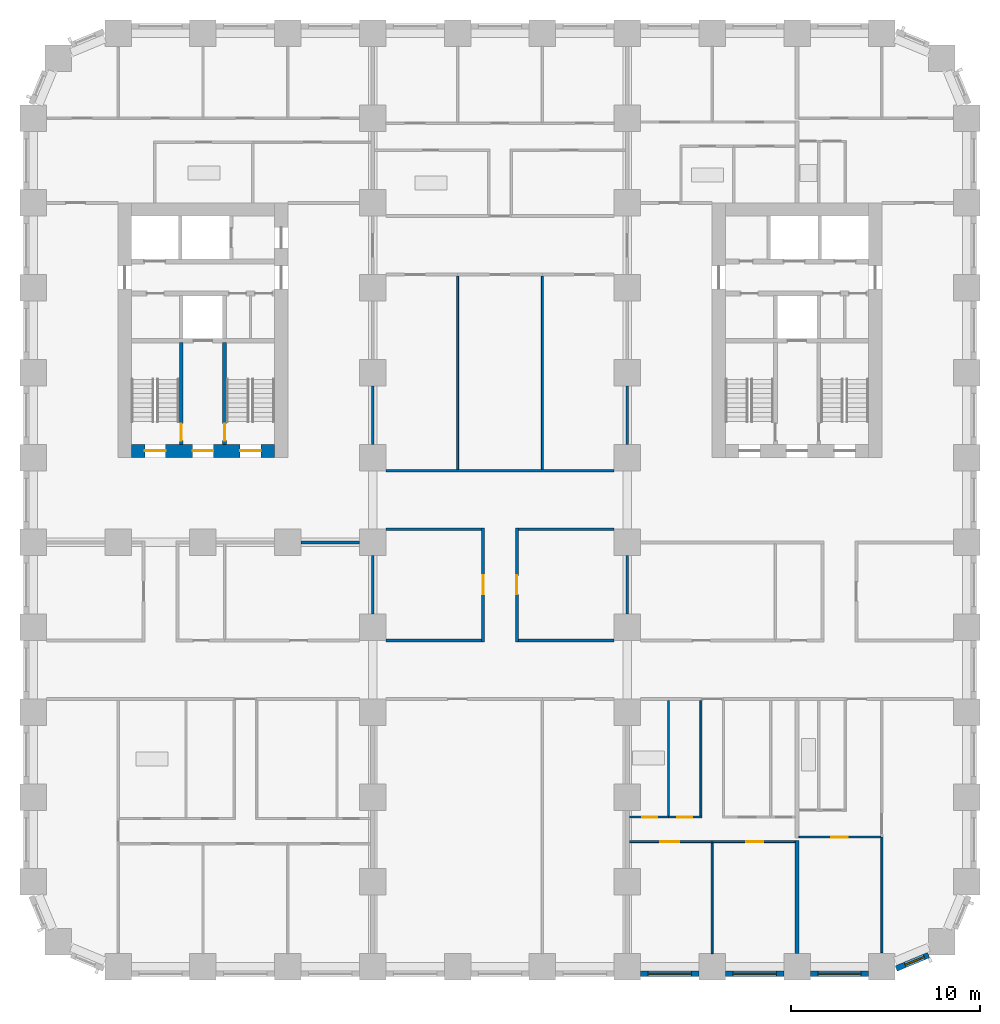
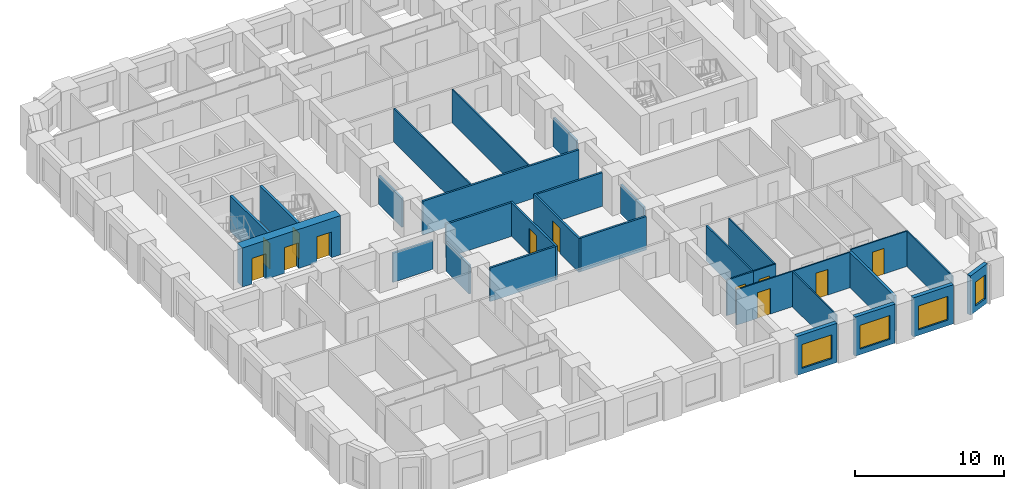
# One storey, part 4 of 13: 31 walls, 12 doors, 4 windows, 16 openings.
"""IFC4 building model written with IfcOpenShell, lengths in metres."""

import ifcopenshell
import ifcopenshell.guid

model = None  # the IFC model being written
_history = None  # IfcOwnerHistory: only IFC2X3 demands one
_inside = {}  # id of a spatial element -> (the spatial element, [elements in it])
_under = {}  # id of a project, library or spatial element -> (it, [spatial elements below it])
_declared = {}  # id of a project -> (the project, [libraries it declares])
_typed = {}  # id of a type object -> (the type object, [elements of that type])
_made_of = {}  # id of a material, layer set ... -> (it, [elements and type objects made of it])


def new_model(schema):
    """Start an empty IFC model of exactly this schema.

    Asked for "IFC4X3", IfcOpenShell would pick the latest addendum, in which some entities
    have other attributes; the version numbers below select the first issue.
    IFC2X3 requires an IfcOwnerHistory on every rooted entity: one is made here for all.
    """
    global model, _history
    if schema == "IFC4X3":
        model = ifcopenshell.file(schema_version=(4, 3, 0, 0))
    else:
        model = ifcopenshell.file(schema=schema)
    _inside.clear()
    _under.clear()
    _declared.clear()
    _typed.clear()
    _made_of.clear()
    _history = None
    if model.schema == "IFC2X3":
        org = make("IfcOrganization", Name="unknown")
        user = make(
            "IfcPersonAndOrganization",
            ThePerson=make("IfcPerson", FamilyName="unknown"),
            TheOrganization=org,
        )
        app = make(
            "IfcApplication",
            ApplicationDeveloper=org,
            Version="unknown",
            ApplicationFullName="unknown",
            ApplicationIdentifier="unknown",
        )
        _history = make(
            "IfcOwnerHistory",
            OwningUser=user,
            OwningApplication=app,
            ChangeAction="ADDED",
            CreationDate=0,
        )
    return model


def make(cls, **values):
    """One entity of the class cls with the attributes given. An attribute that is None is left unset."""
    return model.create_entity(
        cls, **{name: value for name, value in values.items() if value is not None}
    )


def rooted(cls, **values):
    """An entity with a GlobalId (a new one), such as an element, a storey or a relation."""
    return make(cls, GlobalId=ifcopenshell.guid.new(), OwnerHistory=_history, **values)


def si_unit(unit_type, name, prefix=None):
    """IfcSIUnit, for example si_unit("LENGTHUNIT", "METRE", prefix="MILLI")."""
    return make("IfcSIUnit", UnitType=unit_type, Prefix=prefix, Name=name)


def assignment(units):
    """IfcUnitAssignment: the units of a project."""
    return None if units is None else make("IfcUnitAssignment", Units=units)


def point(xyz):
    """IfcCartesianPoint."""
    return None if xyz is None else make("IfcCartesianPoint", Coordinates=xyz)


def direction(xyz):
    """IfcDirection."""
    return None if xyz is None else make("IfcDirection", DirectionRatios=xyz)


def frame(location, z_axis=None, x_axis=None):
    """IfcAxis2Placement3D, a coordinate frame: its origin and axes. An axis left out is left unset."""
    return make(
        "IfcAxis2Placement3D",
        Location=point(location),
        Axis=direction(z_axis),
        RefDirection=direction(x_axis),
    )


def frame_2d(location, x_axis=None):
    """IfcAxis2Placement2D, a coordinate frame in the plane: its origin and x axis."""
    return make(
        "IfcAxis2Placement2D", Location=point(location), RefDirection=direction(x_axis)
    )


def origin():
    """The frame at (0, 0, 0) with its axes left unset."""
    return frame((0.0, 0.0, 0.0))


def place(relative_to, where):
    """IfcLocalPlacement: puts the frame where relative to a parent placement (None: the world)."""
    return make(
        "IfcLocalPlacement", PlacementRelTo=relative_to, RelativePlacement=where
    )


def context(
    kind, dimensions, precision=None, world=None, true_north=None, identifier=None
):
    """IfcGeometricRepresentationContext, for example the 3D "Model" context."""
    return make(
        "IfcGeometricRepresentationContext",
        ContextIdentifier=identifier,
        ContextType=kind,
        CoordinateSpaceDimension=dimensions,
        Precision=precision,
        WorldCoordinateSystem=world,
        TrueNorth=true_north,
    )


def subcontext(parent, identifier, kind, view, scale=None):
    """IfcGeometricRepresentationSubContext, for example "Body" below "Model"."""
    return make(
        "IfcGeometricRepresentationSubContext",
        ContextIdentifier=identifier,
        ContextType=kind,
        ParentContext=parent,
        TargetScale=scale,
        TargetView=view,
    )


def project(units=None, contexts=None):
    """IfcProject with its units and contexts."""
    return rooted(
        "IfcProject",
        Name="project",
        RepresentationContexts=contexts,
        UnitsInContext=assignment(units),
    )


def spatial(cls, under=None, at=None, **own):
    """A site, building, storey or space (cls), placed at a placement, below another one or the project."""
    s = rooted(cls, ObjectPlacement=at, **own)
    if under is not None:
        _under.setdefault(under.id(), (under, []))[1].append(s)
    return s


def profile(cls, at=None, kind="AREA", **sizes):
    """A parametric profile (cls). Its sizes go by their IFC names, for example OverallWidth=200.0."""
    return make(cls, ProfileType=kind, Position=at, **sizes)


def rectangle(**sizes):
    """IfcRectangleProfileDef."""
    return profile("IfcRectangleProfileDef", **sizes)


def extrude(swept, where, along, depth):
    """IfcExtrudedAreaSolid: the profile swept, set in the frame where, extruded along a direction by depth."""
    return make(
        "IfcExtrudedAreaSolid",
        SweptArea=swept,
        Position=where,
        ExtrudedDirection=direction(along),
        Depth=depth,
    )


def shape(context_of_items, identifier, shape_type, items):
    """IfcShapeRepresentation: the items that make up one representation, for example the "Body"."""
    return make(
        "IfcShapeRepresentation",
        ContextOfItems=context_of_items,
        RepresentationIdentifier=identifier,
        RepresentationType=shape_type,
        Items=items,
    )


def material(Name=None, Category=None):
    """IfcMaterial."""
    return make("IfcMaterial", Name=Name, Category=Category)


def layer(
    of_material, thickness, ventilated=None, Name=None, Category=None, Priority=None
):
    """IfcMaterialLayer: one layer of a wall or slab, of a material (None: an air gap)."""
    return make(
        "IfcMaterialLayer",
        Material=of_material,
        LayerThickness=thickness,
        IsVentilated=ventilated,
        Name=Name,
        Category=Category,
        Priority=Priority,
    )


def layer_set(layers, Name=None):
    """IfcMaterialLayerSet."""
    return make("IfcMaterialLayerSet", MaterialLayers=layers, LayerSetName=Name)


def made_of(thing, what):
    """Note that an element or type object is made of a material, layer set ...; save() writes the relation."""
    if what is not None:
        _made_of.setdefault(what.id(), (what, []))[1].append(thing)
    return thing


def type_object(cls, material=None, **own):
    """A type object (cls), such as IfcWallType, which elements share."""
    return made_of(rooted(cls, **own), material)


def element(
    cls,
    number,
    at=None,
    inside=None,
    cuts=None,
    type_object=None,
    material=None,
    context=None,
    identifier="Body",
    shape_type=None,
    held_by="IfcProductDefinitionShape",
    body=None,
    shapes=None,
    **own,
):
    """One element of the class cls, such as IfcWall. Its Tag is "e" and its number.

    at: its placement. inside: the storey or other place that contains it. cuts: it is an
    opening in that element (IfcRelVoidsElement). A single representation is given by context,
    identifier, shape_type and body (its items); several are given by shapes. held_by: the class
    of the entity that holds the representations. save() writes the other relations.
    """
    e = rooted(cls, Tag="e%d" % number, ObjectPlacement=at, **own)
    if body is not None:
        shapes = [shape(context, identifier, shape_type, body)]
    if shapes is not None:
        e.Representation = make(held_by, Representations=shapes)
    if inside is not None:
        _inside.setdefault(inside.id(), (inside, []))[1].append(e)
    if cuts is not None:
        rooted(
            "IfcRelVoidsElement", RelatingBuildingElement=cuts, RelatedOpeningElement=e
        )
    if type_object is not None:
        _typed.setdefault(type_object.id(), (type_object, []))[1].append(e)
    return made_of(e, material)


def fill(opening, filler):
    """IfcRelFillsElement: the door or window that sits in an opening."""
    return rooted(
        "IfcRelFillsElement",
        RelatingOpeningElement=opening,
        RelatedBuildingElement=filler,
    )


def aggregate(whole, parts):
    """IfcRelAggregates: a whole, such as a stair, and the parts it consists of."""
    return rooted("IfcRelAggregates", RelatingObject=whole, RelatedObjects=parts)


def save(model, path):
    """Write the relations noted so far, then the file.

    IfcRelAggregates (storeys below a building ...), IfcRelContainedInSpatialStructure (elements
    in a storey), IfcRelDefinesByType, IfcRelAssociatesMaterial and IfcRelDeclares: one each for
    every whole, place, type object, material and project.
    """
    for whole, parts in _under.values():
        aggregate(whole, parts)
    for where, things in _inside.values():
        rooted(
            "IfcRelContainedInSpatialStructure",
            RelatedElements=things,
            RelatingStructure=where,
        )
    for kind, things in _typed.values():
        rooted("IfcRelDefinesByType", RelatedObjects=things, RelatingType=kind)
    for what, things in _made_of.values():
        rooted("IfcRelAssociatesMaterial", RelatedObjects=things, RelatingMaterial=what)
    for by, libraries in _declared.values():
        rooted("IfcRelDeclares", RelatingContext=by, RelatedDefinitions=libraries)
    model.write(path)


model = new_model("IFC4")

# Units and contexts
model_context = context("Model", 3, precision=1e-05, world=origin(), true_north=direction((0.0, 1.0)))
body_context = subcontext(model_context, "Body", "Model", "MODEL_VIEW")
ifc_project = project(units=[si_unit("LENGTHUNIT", "METRE"), si_unit("AREAUNIT", "SQUARE_METRE"), si_unit("VOLUMEUNIT", "CUBIC_METRE"), si_unit("PLANEANGLEUNIT", "RADIAN"), si_unit("MASSUNIT", "GRAM", prefix="KILO")], contexts=[model_context])

# Site, building, storey
site_placement = place(None, origin())
site = spatial("IfcSite", under=ifc_project, at=site_placement, CompositionType="ELEMENT")
building_placement = place(site_placement, origin())
building = spatial("IfcBuilding", under=site, at=building_placement, Name="Girih Gate Residences", CompositionType="ELEMENT")
storey_placement = place(building_placement, frame((0.0, 0.0, 52.800048828125)))
storey = spatial("IfcBuildingStorey", under=building, at=storey_placement, Name="L13", CompositionType="ELEMENT", Elevation=52.800048828125)

# Wall, opening, door
ifc_material_1 = material(Name="Gypsum board on steel studs", Category="steel")
ifc_layer_1 = layer(ifc_material_1, 0.14990234375)
ifc_layer_set_1 = layer_set([ifc_layer_1], Name="Compartment wall 150 mm")
wall_type_1 = type_object("IfcWallType", Name="Compartment wall 150 mm", PredefinedType="PARTITIONING", material=ifc_layer_set_1)
wall_1_placement = place(storey_placement, frame((23.85009765625, 17.22509765625, 0.0), z_axis=(0.0, 0.0, 1.0), x_axis=(0.0, 1.0, 0.0)))
wall_1 = element("IfcWall", 1, at=wall_1_placement, inside=storey, type_object=wall_type_1, Name="L13 partition", PredefinedType="PARTITIONING", context=body_context, shape_type="SweptSolid", body=[
    extrude(rectangle(XDim=6.0498046875, YDim=0.14990234375, at=frame_2d((3.02490234375, 0.0))), origin(), (0.0, 0.0, 1.0), 2.75),
])
opening_1_placement = place(wall_1_placement, frame((2.52490234375, 0.0, 0.0)))
opening_1 = element("IfcOpeningElement", 2, at=opening_1_placement, cuts=wall_1, Name="Opening A13-052", PredefinedType="OPENING", context=body_context, shape_type="SweptSolid", body=[
    extrude(rectangle(XDim=1.0, YDim=2.10009765625, at=frame_2d((0.5, 1.050048828125))), frame((0.0, 0.0849609375, 0.0), z_axis=(0.0, -1.0, 0.0), x_axis=(1.0, 0.0, 0.0)), (0.0, 0.0, 1.0), 0.169921875),
])
ifc_material_2 = material(Name="Timber, fire-rated core", Category="wood")
door_type_1 = type_object("IfcDoorType", Name="Amenity room door 1000x2100 FD30S", OperationType="NOTDEFINED", PredefinedType="DOOR", material=ifc_material_2)
door_1_placement = place(opening_1_placement, origin())
door_1 = element("IfcDoor", 3, at=door_1_placement, inside=storey, type_object=door_type_1, Name="Door A13-052", OperationType="SINGLE_SWING_RIGHT", OverallHeight=2.10009765625, OverallWidth=1.0, PredefinedType="DOOR", context=body_context, shape_type="SweptSolid", body=[
    extrude(rectangle(XDim=1.0, YDim=2.10009765625, at=frame_2d((0.5, 1.050048828125))), frame((0.0, 0.02490234375, 0.0), z_axis=(0.0, -1.0, 0.0), x_axis=(1.0, 0.0, 0.0)), (0.0, 0.0, 1.0), 0.050048828125),
])
fill(opening_1, door_1)

wall_2_placement = place(storey_placement, frame((25.64990234375, 23.27490234375, 0.0), z_axis=(0.0, 0.0, 1.0), x_axis=(0.0, -1.0, 0.0)))
wall_2 = element("IfcWall", 4, at=wall_2_placement, inside=storey, type_object=wall_type_1, Name="L13 partition", PredefinedType="PARTITIONING", context=body_context, shape_type="SweptSolid", body=[
    extrude(rectangle(XDim=6.0498046875, YDim=0.14990234375, at=frame_2d((3.02490234375, 0.0))), origin(), (0.0, 0.0, 1.0), 2.75),
])
opening_2_placement = place(wall_2_placement, frame((2.52490234375, 0.0, 0.0)))
opening_2 = element("IfcOpeningElement", 5, at=opening_2_placement, cuts=wall_2, Name="Opening A13-053", PredefinedType="OPENING", context=body_context, shape_type="SweptSolid", body=[
    extrude(rectangle(XDim=1.0, YDim=2.10009765625, at=frame_2d((0.5, 1.050048828125))), frame((0.0, 0.0849609375, 0.0), z_axis=(0.0, -1.0, 0.0), x_axis=(1.0, 0.0, 0.0)), (0.0, 0.0, 1.0), 0.169921875),
])
door_2_placement = place(opening_2_placement, origin())
door_2 = element("IfcDoor", 6, at=door_2_placement, inside=storey, type_object=door_type_1, Name="Door A13-053", OperationType="SINGLE_SWING_RIGHT", OverallHeight=2.10009765625, OverallWidth=1.0, PredefinedType="DOOR", context=body_context, shape_type="SweptSolid", body=[
    extrude(rectangle(XDim=1.0, YDim=2.10009765625, at=frame_2d((0.5, 1.050048828125))), frame((0.0, 0.02490234375, 0.0), z_axis=(0.0, -1.0, 0.0), x_axis=(1.0, 0.0, 0.0)), (0.0, 0.0, 1.0), 0.050048828125),
])
fill(opening_2, door_2)

# Walls
for number, where, z_axis, x_axis, name in (
    (7, (18.699951171875, 17.300048828125, 0.0), (0.0, 0.0, 1.0), (1.0, 0.0, 0.0), "L13 partition"),
    (8, (25.72509765625, 17.300048828125, 0.0), (0.0, 0.0, 1.0), (1.0, 0.0, 0.0), "L13 partition"),
):
    element("IfcWall", number, at=place(storey_placement, frame(where, z_axis=z_axis, x_axis=x_axis)), inside=storey, type_object=wall_type_1, Name=name, PredefinedType="PARTITIONING", context=body_context, shape_type="SweptSolid", body=[
        extrude(rectangle(XDim=5.074951171875, YDim=0.14990234375, at=frame_2d((2.53759765625, 0.0))), origin(), (0.0, 0.0, 1.0), 2.75),
    ])
wall_3_placement = place(storey_placement, frame((18.0, 27.699951171875, 0.0), z_axis=(0.0, 0.0, 1.0), x_axis=(0.0, 1.0, 0.0)))
element("IfcWall", 9, at=wall_3_placement, inside=storey, type_object=wall_type_1, Name="L13 partition", PredefinedType="PARTITIONING", context=body_context, shape_type="SweptSolid", body=[
    extrude(rectangle(XDim=3.10009765625, YDim=0.14990234375, at=frame_2d((1.550048828125, 0.0))), origin(), (0.0, 0.0, 1.0), 2.3798828125),
])
wall_4_placement = place(storey_placement, frame((18.699951171875, 26.300048828125, 0.0), z_axis=(0.0, 0.0, 1.0), x_axis=(1.0, 0.0, 0.0)))
element("IfcWall", 10, at=wall_4_placement, inside=storey, type_object=wall_type_1, Name="L13 partition", PredefinedType="PARTITIONING", context=body_context, shape_type="SweptSolid", body=[
    extrude(rectangle(XDim=12.10009765625, YDim=0.14990234375, at=frame_2d((6.050048828125, 0.0))), origin(), (0.0, 0.0, 1.0), 2.75),
])
wall_5_placement = place(storey_placement, frame((31.5, 27.699951171875, 0.0), z_axis=(0.0, 0.0, 1.0), x_axis=(0.0, 1.0, 0.0)))
element("IfcWall", 11, at=wall_5_placement, inside=storey, type_object=wall_type_1, Name="L13 partition", PredefinedType="PARTITIONING", context=body_context, shape_type="SweptSolid", body=[
    extrude(rectangle(XDim=3.10009765625, YDim=0.14990234375, at=frame_2d((1.550048828125, 0.0))), origin(), (0.0, 0.0, 1.0), 2.3798828125),
])
wall_6_placement = place(storey_placement, frame((18.699951171875, 23.199951171875, 0.0), z_axis=(0.0, 0.0, 1.0), x_axis=(1.0, 0.0, 0.0)))
element("IfcWall", 12, at=wall_6_placement, inside=storey, type_object=wall_type_1, Name="L13 partition", PredefinedType="PARTITIONING", context=body_context, shape_type="SweptSolid", body=[
    extrude(rectangle(XDim=5.074951171875, YDim=0.14990234375, at=frame_2d((2.53759765625, 0.0))), origin(), (0.0, 0.0, 1.0), 2.75),
])
wall_7_placement = place(storey_placement, frame((18.0, 18.699951171875, 0.0), z_axis=(0.0, 0.0, 1.0), x_axis=(0.0, 1.0, 0.0)))
element("IfcWall", 13, at=wall_7_placement, inside=storey, type_object=wall_type_1, Name="L13 partition", PredefinedType="PARTITIONING", context=body_context, shape_type="SweptSolid", body=[
    extrude(rectangle(XDim=3.10009765625, YDim=0.14990234375, at=frame_2d((1.550048828125, 0.0))), origin(), (0.0, 0.0, 1.0), 2.3798828125),
])
wall_8_placement = place(storey_placement, frame((25.72509765625, 23.199951171875, 0.0), z_axis=(0.0, 0.0, 1.0), x_axis=(1.0, 0.0, 0.0)))
element("IfcWall", 14, at=wall_8_placement, inside=storey, type_object=wall_type_1, Name="L13 partition", PredefinedType="PARTITIONING", context=body_context, shape_type="SweptSolid", body=[
    extrude(rectangle(XDim=5.074951171875, YDim=0.14990234375, at=frame_2d((2.53759765625, 0.0))), origin(), (0.0, 0.0, 1.0), 2.75),
])
for number, where, z_axis, x_axis, name in (
    (15, (31.5, 18.699951171875, 0.0), (0.0, 0.0, 1.0), (0.0, 1.0, 0.0), "L13 partition"),
    (16, (14.199951171875, 22.5, 0.0), (0.0, 0.0, 1.0), (1.0, 0.0, 0.0), "L13 partition"),
):
    element("IfcWall", number, at=place(storey_placement, frame(where, z_axis=z_axis, x_axis=x_axis)), inside=storey, type_object=wall_type_1, Name=name, PredefinedType="PARTITIONING", context=body_context, shape_type="SweptSolid", body=[
        extrude(rectangle(XDim=3.10009765625, YDim=0.14990234375, at=frame_2d((1.550048828125, 0.0))), origin(), (0.0, 0.0, 1.0), 2.3798828125),
    ])

# Wall, openings, doors
ifc_material_3 = material(Name="Concrete C60/75", Category="concrete")
ifc_layer_2 = layer(ifc_material_3, 0.699951171875)
ifc_layer_set_2 = layer_set([ifc_layer_2], Name="Core wall RC 700 Concrete C60/75")
wall_type_2 = type_object("IfcWallType", Name="Core wall RC 700 Concrete C60/75", PredefinedType="SOLIDWALL", material=ifc_layer_set_2)
wall_9_placement = place(storey_placement, frame((5.199951171875, 27.35009765625, 0.0), z_axis=(0.0, 0.0, 1.0), x_axis=(1.0, 0.0, 0.0)))
wall_9 = element("IfcWall", 17, at=wall_9_placement, inside=storey, type_object=wall_type_2, Name="Core wall W-S L13", PredefinedType="SOLIDWALL", context=body_context, shape_type="SweptSolid", body=[
    extrude(rectangle(XDim=7.60009765625, YDim=0.699951171875, at=frame_2d((3.800048828125, 0.0))), origin(), (0.0, 0.0, 1.0), 3.199951171875),
])
opening_3_placement = place(wall_9_placement, frame((0.72509765625, 0.0, 0.0)))
opening_3 = element("IfcOpeningElement", 18, at=opening_3_placement, cuts=wall_9, Name="Opening D-L13-W-009", PredefinedType="OPENING", context=body_context, shape_type="SweptSolid", body=[
    extrude(rectangle(XDim=1.10009765625, YDim=2.10009765625, at=frame_2d((0.550048828125, 1.050048828125))), frame((0.0, 0.35986328125, 0.0), z_axis=(0.0, -1.0, 0.0), x_axis=(1.0, 0.0, 0.0)), (0.0, 0.0, 1.0), 0.719970703125),
])
opening_4_placement = place(wall_9_placement, frame((3.25, 0.0, 0.0)))
opening_4 = element("IfcOpeningElement", 19, at=opening_4_placement, cuts=wall_9, Name="Opening D-L13-W-010", PredefinedType="OPENING", context=body_context, shape_type="SweptSolid", body=[
    extrude(rectangle(XDim=1.10009765625, YDim=2.10009765625, at=frame_2d((0.550048828125, 1.050048828125))), frame((0.0, 0.35986328125, 0.0), z_axis=(0.0, -1.0, 0.0), x_axis=(1.0, 0.0, 0.0)), (0.0, 0.0, 1.0), 0.719970703125),
])
opening_5_placement = place(wall_9_placement, frame((5.77490234375, 0.0, 0.0)))
opening_5 = element("IfcOpeningElement", 20, at=opening_5_placement, cuts=wall_9, Name="Opening D-L13-W-011", PredefinedType="OPENING", context=body_context, shape_type="SweptSolid", body=[
    extrude(rectangle(XDim=1.10009765625, YDim=2.10009765625, at=frame_2d((0.550048828125, 1.050048828125))), frame((0.0, 0.35986328125, 0.0), z_axis=(0.0, -1.0, 0.0), x_axis=(1.0, 0.0, 0.0)), (0.0, 0.0, 1.0), 0.719970703125),
])
ifc_material_4 = material(Name="Painted steel, fire-resisting", Category="steel")
door_type_2 = type_object("IfcDoorType", Name="Fire door 1100x2100", OperationType="SINGLE_SWING_LEFT", PredefinedType="DOOR", material=ifc_material_4)
door_3_placement = place(opening_3_placement, origin())
door_3 = element("IfcDoor", 21, at=door_3_placement, inside=storey, type_object=door_type_2, Name="L13 W core door sta-out", OperationType="SINGLE_SWING_LEFT", OverallHeight=2.10009765625, OverallWidth=1.10009765625, PredefinedType="DOOR", context=body_context, shape_type="SweptSolid", body=[
    extrude(rectangle(XDim=1.10009765625, YDim=2.10009765625, at=frame_2d((0.550048828125, 1.050048828125))), frame((0.0, 0.02490234375, 0.0), z_axis=(0.0, -1.0, 0.0), x_axis=(1.0, 0.0, 0.0)), (0.0, 0.0, 1.0), 0.050048828125),
])
fill(opening_3, door_3)
door_4_placement = place(opening_4_placement, origin())
door_4 = element("IfcDoor", 22, at=door_4_placement, inside=storey, type_object=door_type_2, Name="L13 W core door ffl-out", OperationType="SINGLE_SWING_LEFT", OverallHeight=2.10009765625, OverallWidth=1.10009765625, PredefinedType="DOOR", context=body_context, shape_type="SweptSolid", body=[
    extrude(rectangle(XDim=1.10009765625, YDim=2.10009765625, at=frame_2d((0.550048828125, 1.050048828125))), frame((0.0, 0.02490234375, 0.0), z_axis=(0.0, -1.0, 0.0), x_axis=(1.0, 0.0, 0.0)), (0.0, 0.0, 1.0), 0.050048828125),
])
fill(opening_4, door_4)
door_5_placement = place(opening_5_placement, origin())
door_5 = element("IfcDoor", 23, at=door_5_placement, inside=storey, type_object=door_type_2, Name="L13 W core door stb-out", OperationType="SINGLE_SWING_LEFT", OverallHeight=2.10009765625, OverallWidth=1.10009765625, PredefinedType="DOOR", context=body_context, shape_type="SweptSolid", body=[
    extrude(rectangle(XDim=1.10009765625, YDim=2.10009765625, at=frame_2d((0.550048828125, 1.050048828125))), frame((0.0, 0.02490234375, 0.0), z_axis=(0.0, -1.0, 0.0), x_axis=(1.0, 0.0, 0.0)), (0.0, 0.0, 1.0), 0.050048828125),
])
fill(opening_5, door_5)

# Wall, opening, door
ifc_layer_3 = layer(ifc_material_1, 0.10009765625)
ifc_layer_set_3 = layer_set([ifc_layer_3], Name="Partition 100 mm")
wall_type_3 = type_object("IfcWallType", Name="Partition 100 mm", PredefinedType="PARTITIONING", material=ifc_layer_set_3)
wall_10_placement = place(storey_placement, frame((44.949951171875, 6.8798828125, 0.0), z_axis=(0.0, 0.0, 1.0), x_axis=(-1.0, 0.0, 0.0)))
wall_10 = element("IfcWall", 24, at=wall_10_placement, inside=storey, type_object=wall_type_3, Name="L13 partition", PredefinedType="PARTITIONING", context=body_context, shape_type="SweptSolid", body=[
    extrude(rectangle(XDim=4.349853515625, YDim=0.10009765625, at=frame_2d((2.1748046875, 0.0))), origin(), (0.0, 0.0, 1.0), 2.89990234375),
])
opening_6_placement = place(wall_10_placement, frame((1.75, 0.0, 0.0)))
opening_6 = element("IfcOpeningElement", 25, at=opening_6_placement, cuts=wall_10, Name="Opening A13-018", PredefinedType="OPENING", context=body_context, shape_type="SweptSolid", body=[
    extrude(rectangle(XDim=0.89990234375, YDim=2.10009765625, at=frame_2d((0.449951171875, 1.050048828125))), frame((0.0, 0.06005859375, 0.0), z_axis=(0.0, -1.0, 0.0), x_axis=(1.0, 0.0, 0.0)), (0.0, 0.0, 1.0), 0.1201171875),
])
ifc_material_5 = material(Name="Timber", Category="wood")
door_type_3 = type_object("IfcDoorType", Name="Bedroom door 900x2100", OperationType="NOTDEFINED", PredefinedType="DOOR", material=ifc_material_5)
door_6_placement = place(opening_6_placement, origin())
door_6 = element("IfcDoor", 26, at=door_6_placement, inside=storey, type_object=door_type_3, Name="Door A13-018", OperationType="SINGLE_SWING_RIGHT", OverallHeight=2.10009765625, OverallWidth=0.89990234375, PredefinedType="DOOR", context=body_context, shape_type="SweptSolid", body=[
    extrude(rectangle(XDim=0.89990234375, YDim=2.10009765625, at=frame_2d((0.449951171875, 1.050048828125))), frame((0.0, 0.02490234375, 0.0), z_axis=(0.0, -1.0, 0.0), x_axis=(1.0, 0.0, 0.0)), (0.0, 0.0, 1.0), 0.050048828125),
])
fill(opening_6, door_6)

# Wall
wall_11_placement = place(storey_placement, frame((45.0, 0.757568359375, 0.0), z_axis=(0.0, 0.0, 1.0), x_axis=(0.0, 1.0, 0.0)))
element("IfcWall", 27, at=wall_11_placement, inside=storey, type_object=wall_type_3, Name="L13 partition", PredefinedType="PARTITIONING", context=body_context, shape_type="SweptSolid", body=[
    extrude(rectangle(XDim=6.122314453125, YDim=0.10009765625, at=frame_2d((3.06103515625, 0.0))), origin(), (0.0, 0.0, 1.0), 2.89990234375),
])

# Wall, opening, door
wall_12_placement = place(storey_placement, frame((40.39990234375, 6.639892578125, 0.0), z_axis=(0.0, 0.0, 1.0), x_axis=(-1.0, 0.0, 0.0)))
wall_12 = element("IfcWall", 28, at=wall_12_placement, inside=storey, type_object=wall_type_3, Name="L13 partition", PredefinedType="PARTITIONING", context=body_context, shape_type="SweptSolid", body=[
    extrude(rectangle(XDim=4.39990234375, YDim=0.10009765625, at=frame_2d((2.199951171875, 0.0))), origin(), (0.0, 0.0, 1.0), 2.89990234375),
])
opening_7_placement = place(wall_12_placement, frame((1.699951171875, 0.0, 0.0)))
opening_7 = element("IfcOpeningElement", 29, at=opening_7_placement, cuts=wall_12, Name="Opening A13-023", PredefinedType="OPENING", context=body_context, shape_type="SweptSolid", body=[
    extrude(rectangle(XDim=0.89990234375, YDim=2.10009765625, at=frame_2d((0.449951171875, 1.050048828125))), frame((0.0, 0.06005859375, 0.0), z_axis=(0.0, -1.0, 0.0), x_axis=(1.0, 0.0, 0.0)), (0.0, 0.0, 1.0), 0.1201171875),
])
door_7_placement = place(opening_7_placement, origin())
door_7 = element("IfcDoor", 30, at=door_7_placement, inside=storey, type_object=door_type_3, Name="Door A13-023", OperationType="SINGLE_SWING_LEFT", OverallHeight=2.10009765625, OverallWidth=0.89990234375, PredefinedType="DOOR", context=body_context, shape_type="SweptSolid", body=[
    extrude(rectangle(XDim=0.89990234375, YDim=2.10009765625, at=frame_2d((0.449951171875, 1.050048828125))), frame((0.0, 0.02490234375, 0.0), z_axis=(0.0, -1.0, 0.0), x_axis=(1.0, 0.0, 0.0)), (0.0, 0.0, 1.0), 0.050048828125),
])
fill(opening_7, door_7)

# Wall
wall_13_placement = place(storey_placement, frame((36.0, 0.699951171875, 0.0), z_axis=(0.0, 0.0, 1.0), x_axis=(0.0, 1.0, 0.0)))
element("IfcWall", 31, at=wall_13_placement, inside=storey, type_object=wall_type_3, Name="L13 partition", PredefinedType="PARTITIONING", context=body_context, shape_type="SweptSolid", body=[
    extrude(rectangle(XDim=5.89013671875, YDim=0.10009765625, at=frame_2d((2.945068359375, 0.0))), origin(), (0.0, 0.0, 1.0), 2.89990234375),
])

# Wall, opening, door
wall_14_placement = place(storey_placement, frame((36.0, 6.639892578125, 0.0), z_axis=(0.0, 0.0, 1.0), x_axis=(-1.0, 0.0, 0.0)))
wall_14 = element("IfcWall", 32, at=wall_14_placement, inside=storey, type_object=wall_type_3, Name="L13 partition", PredefinedType="PARTITIONING", context=body_context, shape_type="SweptSolid", body=[
    extrude(rectangle(XDim=4.375, YDim=0.10009765625, at=frame_2d((2.1875, 0.0))), origin(), (0.0, 0.0, 1.0), 2.89990234375),
])
opening_8_placement = place(wall_14_placement, frame((1.75, 0.0, 0.0)))
opening_8 = element("IfcOpeningElement", 33, at=opening_8_placement, cuts=wall_14, Name="Opening A13-025", PredefinedType="OPENING", context=body_context, shape_type="SweptSolid", body=[
    extrude(rectangle(XDim=1.0, YDim=2.10009765625, at=frame_2d((0.5, 1.050048828125))), frame((0.0, 0.06005859375, 0.0), z_axis=(0.0, -1.0, 0.0), x_axis=(1.0, 0.0, 0.0)), (0.0, 0.0, 1.0), 0.1201171875),
])
door_type_4 = type_object("IfcDoorType", Name="Living room door 1000x2100", OperationType="NOTDEFINED", PredefinedType="DOOR", material=ifc_material_5)
door_8_placement = place(opening_8_placement, origin())
door_8 = element("IfcDoor", 34, at=door_8_placement, inside=storey, type_object=door_type_4, Name="Door A13-025", OperationType="SINGLE_SWING_RIGHT", OverallHeight=2.10009765625, OverallWidth=1.0, PredefinedType="DOOR", context=body_context, shape_type="SweptSolid", body=[
    extrude(rectangle(XDim=1.0, YDim=2.10009765625, at=frame_2d((0.5, 1.050048828125))), frame((0.0, 0.02490234375, 0.0), z_axis=(0.0, -1.0, 0.0), x_axis=(1.0, 0.0, 0.0)), (0.0, 0.0, 1.0), 0.050048828125),
])
fill(opening_8, door_8)

wall_15_placement = place(storey_placement, frame((33.684326171875, 7.93994140625, 0.0), z_axis=(0.0, 0.0, 1.0), x_axis=(1.0, 0.0, 0.0)))
wall_15 = element("IfcWall", 35, at=wall_15_placement, inside=storey, type_object=wall_type_3, Name="L13 partition", PredefinedType="PARTITIONING", context=body_context, shape_type="SweptSolid", body=[
    extrude(rectangle(XDim=1.765625, YDim=0.10009765625, at=frame_2d((0.8828125, 0.0))), origin(), (0.0, 0.0, 1.0), 2.89990234375),
])
opening_9_placement = place(wall_15_placement, frame((0.457763671875, 0.0, 0.0)))
opening_9 = element("IfcOpeningElement", 36, at=opening_9_placement, cuts=wall_15, Name="Opening A13-027", PredefinedType="OPENING", context=body_context, shape_type="SweptSolid", body=[
    extrude(rectangle(XDim=0.800048828125, YDim=2.10009765625, at=frame_2d((0.39990234375, 1.050048828125))), frame((0.0, 0.06005859375, 0.0), z_axis=(0.0, -1.0, 0.0), x_axis=(1.0, 0.0, 0.0)), (0.0, 0.0, 1.0), 0.1201171875),
])
door_type_5 = type_object("IfcDoorType", Name="Store door 800x2100", OperationType="NOTDEFINED", PredefinedType="DOOR", material=ifc_material_5)
door_9_placement = place(opening_9_placement, origin())
door_9 = element("IfcDoor", 37, at=door_9_placement, inside=storey, type_object=door_type_5, Name="Door A13-027", OperationType="SINGLE_SWING_LEFT", OverallHeight=2.10009765625, OverallWidth=0.800048828125, PredefinedType="DOOR", context=body_context, shape_type="SweptSolid", body=[
    extrude(rectangle(XDim=0.800048828125, YDim=2.10009765625, at=frame_2d((0.39990234375, 1.050048828125))), frame((0.0, 0.02490234375, 0.0), z_axis=(0.0, -1.0, 0.0), x_axis=(1.0, 0.0, 0.0)), (0.0, 0.0, 1.0), 0.050048828125),
])
fill(opening_9, door_9)

# Walls
wall_16_placement = place(storey_placement, frame((35.39990234375, 7.989990234375, 0.0), z_axis=(0.0, 0.0, 1.0), x_axis=(0.0, 1.0, 0.0)))
element("IfcWall", 38, at=wall_16_placement, inside=storey, type_object=wall_type_3, Name="L13 partition", PredefinedType="PARTITIONING", context=body_context, shape_type="SweptSolid", body=[
    extrude(rectangle(XDim=6.135009765625, YDim=0.10009765625, at=frame_2d((3.0673828125, 0.0))), origin(), (0.0, 0.0, 1.0), 2.89990234375),
])
for number, where, z_axis, x_axis, name in (
    (39, (22.5, 26.375, 0.0), (0.0, 0.0, 1.0), (0.0, 1.0, 0.0), "L13 partition"),
    (40, (27.0, 26.375, 0.0), (0.0, 0.0, 1.0), (0.0, 1.0, 0.0), "L13 partition"),
):
    element("IfcWall", number, at=place(storey_placement, frame(where, z_axis=z_axis, x_axis=x_axis)), inside=storey, type_object=wall_type_3, Name=name, PredefinedType="PARTITIONING", context=body_context, shape_type="SweptSolid", body=[
        extrude(rectangle(XDim=10.25, YDim=0.10009765625, at=frame_2d((5.125, 0.0))), origin(), (0.0, 0.0, 1.0), 2.75),
    ])
ifc_layer_4 = layer(ifc_material_1, 0.199951171875)
ifc_layer_set_4 = layer_set([ifc_layer_4], Name="Party wall 200 mm")
wall_type_4 = type_object("IfcWallType", Name="Party wall 200 mm", PredefinedType="PARTITIONING", material=ifc_layer_set_4)
wall_17_placement = place(storey_placement, frame((40.5, 0.699951171875, 0.0), z_axis=(0.0, 0.0, 1.0), x_axis=(0.0, 1.0, 0.0)))
element("IfcWall", 41, at=wall_17_placement, inside=storey, type_object=wall_type_4, Name="L13 partition", PredefinedType="PARTITIONING", context=body_context, shape_type="SweptSolid", body=[
    extrude(rectangle(XDim=5.989990234375, YDim=0.199951171875, at=frame_2d((2.9951171875, 0.0))), origin(), (0.0, 0.0, 1.0), 2.89990234375),
])

# Wall, opening, window
ifc_material_6 = material(Name="Precast concrete C50/60", Category="concrete")
ifc_layer_5 = layer(ifc_material_6, 0.080078125, Name="Outer leaf")
ifc_material_7 = material(Name="Rigid PIR insulation")
ifc_layer_6 = layer(ifc_material_7, 0.14990234375, Name="Insulation")
ifc_material_8 = material(Name="Precast concrete C40/50", Category="concrete")
ifc_layer_7 = layer(ifc_material_8, 0.070068359375, Name="Inner leaf")
ifc_layer_set_5 = layer_set([ifc_layer_5, ifc_layer_6, ifc_layer_7], Name="Precast concrete C50/60 external wall 300")
wall_type_5 = type_object("IfcWallType", Name="Precast concrete C50/60 external wall 300", PredefinedType="SOLIDWALL", material=ifc_layer_set_5)
wall_18_placement = place(storey_placement, frame((35.300048828125, -0.375, 0.0), z_axis=(0.0, 0.0, 1.0), x_axis=(-1.0, 0.0, 0.0)))
wall_18 = element("IfcWall", 42, at=wall_18_placement, inside=storey, type_object=wall_type_5, Name="External wall S0045_0000.6", PredefinedType="SOLIDWALL", context=body_context, shape_type="SweptSolid", body=[
    extrude(rectangle(XDim=3.10009765625, YDim=0.300048828125, at=frame_2d((1.550048828125, 0.0))), origin(), (0.0, 0.0, 1.0), 3.199951171875),
])
opening_10_placement = place(wall_18_placement, frame((0.39990234375, 0.0, 0.449951171875)))
opening_10 = element("IfcOpeningElement", 43, at=opening_10_placement, cuts=wall_18, Name="Opening W-1", PredefinedType="OPENING", context=body_context, shape_type="SweptSolid", body=[
    extrude(rectangle(XDim=2.300048828125, YDim=1.949951171875, at=frame_2d((1.14990234375, 0.97509765625))), frame((0.0, 0.159912109375, 0.0), z_axis=(0.0, -1.0, 0.0), x_axis=(1.0, 0.0, 0.0)), (0.0, 0.0, 1.0), 0.320068359375),
])
ifc_material_9 = material(Name="Double glazing in aluminium frame", Category="aluminium")
window_type_1 = type_object("IfcWindowType", Name="Window W-1 2300x1950", PartitioningType="SINGLE_PANEL", PredefinedType="WINDOW", material=ifc_material_9)
window_1_placement = place(opening_10_placement, origin())
window_1 = element("IfcWindow", 44, at=window_1_placement, inside=storey, type_object=window_type_1, Name="Window W-1 S0045_0000.6", OverallHeight=1.949951171875, OverallWidth=2.300048828125, PartitioningType="SINGLE_PANEL", PredefinedType="WINDOW", context=body_context, shape_type="SweptSolid", body=[
    extrude(rectangle(XDim=2.300048828125, YDim=1.949951171875, at=frame_2d((1.14990234375, 0.97509765625))), frame((0.0, 0.030029296875, 0.0), z_axis=(0.0, -1.0, 0.0), x_axis=(1.0, 0.0, 0.0)), (0.0, 0.0, 1.0), 0.06005859375),
])
fill(opening_10, window_1)

wall_19_placement = place(storey_placement, frame((39.800048828125, -0.375, 0.0), z_axis=(0.0, 0.0, 1.0), x_axis=(-1.0, 0.0, 0.0)))
wall_19 = element("IfcWall", 45, at=wall_19_placement, inside=storey, type_object=wall_type_5, Name="External wall S0045_0000.7", PredefinedType="SOLIDWALL", context=body_context, shape_type="SweptSolid", body=[
    extrude(rectangle(XDim=3.10009765625, YDim=0.300048828125, at=frame_2d((1.550048828125, 0.0))), origin(), (0.0, 0.0, 1.0), 3.199951171875),
])
opening_11_placement = place(wall_19_placement, frame((0.39990234375, 0.0, 0.449951171875)))
opening_11 = element("IfcOpeningElement", 46, at=opening_11_placement, cuts=wall_19, Name="Opening W-1", PredefinedType="OPENING", context=body_context, shape_type="SweptSolid", body=[
    extrude(rectangle(XDim=2.300048828125, YDim=1.949951171875, at=frame_2d((1.14990234375, 0.97509765625))), frame((0.0, 0.159912109375, 0.0), z_axis=(0.0, -1.0, 0.0), x_axis=(1.0, 0.0, 0.0)), (0.0, 0.0, 1.0), 0.320068359375),
])
window_2_placement = place(opening_11_placement, origin())
window_2 = element("IfcWindow", 47, at=window_2_placement, inside=storey, type_object=window_type_1, Name="Window W-1 S0045_0000.7", OverallHeight=1.949951171875, OverallWidth=2.300048828125, PartitioningType="SINGLE_PANEL", PredefinedType="WINDOW", context=body_context, shape_type="SweptSolid", body=[
    extrude(rectangle(XDim=2.300048828125, YDim=1.949951171875, at=frame_2d((1.14990234375, 0.97509765625))), frame((0.0, 0.030029296875, 0.0), z_axis=(0.0, -1.0, 0.0), x_axis=(1.0, 0.0, 0.0)), (0.0, 0.0, 1.0), 0.06005859375),
])
fill(opening_11, window_2)

wall_20_placement = place(storey_placement, frame((44.300048828125, -0.375, 0.0), z_axis=(0.0, 0.0, 1.0), x_axis=(-1.0, 0.0, 0.0)))
wall_20 = element("IfcWall", 48, at=wall_20_placement, inside=storey, type_object=wall_type_5, Name="External wall S0045_0000.8", PredefinedType="SOLIDWALL", context=body_context, shape_type="SweptSolid", body=[
    extrude(rectangle(XDim=3.10009765625, YDim=0.300048828125, at=frame_2d((1.550048828125, 0.0))), origin(), (0.0, 0.0, 1.0), 3.199951171875),
])
opening_12_placement = place(wall_20_placement, frame((0.39990234375, 0.0, 0.449951171875)))
opening_12 = element("IfcOpeningElement", 49, at=opening_12_placement, cuts=wall_20, Name="Opening W-1", PredefinedType="OPENING", context=body_context, shape_type="SweptSolid", body=[
    extrude(rectangle(XDim=2.300048828125, YDim=1.949951171875, at=frame_2d((1.14990234375, 0.97509765625))), frame((0.0, 0.159912109375, 0.0), z_axis=(0.0, -1.0, 0.0), x_axis=(1.0, 0.0, 0.0)), (0.0, 0.0, 1.0), 0.320068359375),
])
window_3_placement = place(opening_12_placement, origin())
window_3 = element("IfcWindow", 50, at=window_3_placement, inside=storey, type_object=window_type_1, Name="Window W-1 S0045_0000.8", OverallHeight=1.949951171875, OverallWidth=2.300048828125, PartitioningType="SINGLE_PANEL", PredefinedType="WINDOW", context=body_context, shape_type="SweptSolid", body=[
    extrude(rectangle(XDim=2.300048828125, YDim=1.949951171875, at=frame_2d((1.14990234375, 0.97509765625))), frame((0.0, 0.030029296875, 0.0), z_axis=(0.0, -1.0, 0.0), x_axis=(1.0, 0.0, 0.0)), (0.0, 0.0, 1.0), 0.06005859375),
])
fill(opening_12, window_3)

wall_21_placement = place(storey_placement, frame((47.48046875, 0.62158203125, 0.0), z_axis=(0.0, 0.0, 1.0), x_axis=(-0.923903565336, -0.38262540684, 0.0)))
wall_21 = element("IfcWall", 51, at=wall_21_placement, inside=storey, type_object=wall_type_5, Name="External wall SE0450_0000.0", PredefinedType="SOLIDWALL", context=body_context, shape_type="SweptSolid", body=[
    extrude(rectangle(XDim=1.864990234375, YDim=0.300048828125, at=frame_2d((0.9326171875, 0.0))), origin(), (0.0, 0.0, 1.0), 3.199951171875),
])
opening_13_placement = place(wall_21_placement, frame((0.257568359375, 0.0, 0.449951171875)))
opening_13 = element("IfcOpeningElement", 52, at=opening_13_placement, cuts=wall_21, Name="Opening W-2C", PredefinedType="OPENING", context=body_context, shape_type="SweptSolid", body=[
    extrude(rectangle(XDim=1.10009765625, YDim=1.949951171875, at=frame_2d((0.550048828125, 0.97509765625))), frame((0.0, 0.159912109375, 0.0), z_axis=(0.0, -1.0, 0.0), x_axis=(1.0, 0.0, 0.0)), (0.0, 0.0, 1.0), 0.320068359375),
])
window_type_2 = type_object("IfcWindowType", Name="Window W-2C 1100x1950", PartitioningType="SINGLE_PANEL", PredefinedType="WINDOW", material=ifc_material_9)
window_4_placement = place(opening_13_placement, origin())
window_4 = element("IfcWindow", 53, at=window_4_placement, inside=storey, type_object=window_type_2, Name="Window W-2C SE0450_0000.0", OverallHeight=1.949951171875, OverallWidth=1.10009765625, PartitioningType="SINGLE_PANEL", PredefinedType="WINDOW", context=body_context, shape_type="SweptSolid", body=[
    extrude(rectangle(XDim=1.10009765625, YDim=1.949951171875, at=frame_2d((0.550048828125, 0.97509765625))), frame((0.0, 0.030029296875, 0.0), z_axis=(0.0, -1.0, 0.0), x_axis=(1.0, 0.0, 0.0)), (0.0, 0.0, 1.0), 0.06005859375),
])
fill(opening_13, window_4)

# Wall, opening, door
ifc_material_10 = material(Name="Concrete C40/50", Category="concrete")
ifc_layer_8 = layer(ifc_material_10, 0.199951171875)
ifc_layer_set_6 = layer_set([ifc_layer_8], Name="Shaft wall 200")
wall_type_6 = type_object("IfcWallType", Name="Shaft wall 200", PredefinedType="SOLIDWALL", material=ifc_layer_set_6)
wall_22_placement = place(storey_placement, frame((7.85009765625, 27.699951171875, 0.0), z_axis=(0.0, 0.0, 1.0), x_axis=(0.0, 1.0, 0.0)))
wall_22 = element("IfcWall", 54, at=wall_22_placement, inside=storey, type_object=wall_type_6, Name="L13 W core wall V1a", PredefinedType="SOLIDWALL", context=body_context, shape_type="SweptSolid", body=[
    extrude(rectangle(XDim=5.400146484375, YDim=0.199951171875, at=frame_2d((2.7001953125, 0.0))), origin(), (0.0, 0.0, 1.0), 2.89990234375),
])
opening_14_placement = place(wall_22_placement, frame((0.199951171875, 0.0, 0.0)))
opening_14 = element("IfcOpeningElement", 55, at=opening_14_placement, cuts=wall_22, Name="Opening D-L13-W-001", PredefinedType="OPENING", context=body_context, shape_type="SweptSolid", body=[
    extrude(rectangle(XDim=0.89990234375, YDim=2.10009765625, at=frame_2d((0.449951171875, 1.050048828125))), frame((0.0, 0.10986328125, 0.0), z_axis=(0.0, -1.0, 0.0), x_axis=(1.0, 0.0, 0.0)), (0.0, 0.0, 1.0), 0.219970703125),
])
door_type_6 = type_object("IfcDoorType", Name="Fire door 900x2100", OperationType="SINGLE_SWING_LEFT", PredefinedType="DOOR", material=ifc_material_4)
door_10_placement = place(opening_14_placement, origin())
door_10 = element("IfcDoor", 56, at=door_10_placement, inside=storey, type_object=door_type_6, Name="L13 W door stair 1 to firefighting lobby", OperationType="SINGLE_SWING_LEFT", OverallHeight=2.10009765625, OverallWidth=0.89990234375, PredefinedType="DOOR", context=body_context, shape_type="SweptSolid", body=[
    extrude(rectangle(XDim=0.89990234375, YDim=2.10009765625, at=frame_2d((0.449951171875, 1.050048828125))), frame((0.0, 0.02490234375, 0.0), z_axis=(0.0, -1.0, 0.0), x_axis=(1.0, 0.0, 0.0)), (0.0, 0.0, 1.0), 0.050048828125),
])
fill(opening_14, door_10)

wall_23_placement = place(storey_placement, frame((10.14990234375, 27.699951171875, 0.0), z_axis=(0.0, 0.0, 1.0), x_axis=(0.0, 1.0, 0.0)))
wall_23 = element("IfcWall", 57, at=wall_23_placement, inside=storey, type_object=wall_type_6, Name="L13 W core wall V2a", PredefinedType="SOLIDWALL", context=body_context, shape_type="SweptSolid", body=[
    extrude(rectangle(XDim=5.400146484375, YDim=0.199951171875, at=frame_2d((2.7001953125, 0.0))), origin(), (0.0, 0.0, 1.0), 2.89990234375),
])
opening_15_placement = place(wall_23_placement, frame((0.199951171875, 0.0, 0.0)))
opening_15 = element("IfcOpeningElement", 58, at=opening_15_placement, cuts=wall_23, Name="Opening D-L13-W-002", PredefinedType="OPENING", context=body_context, shape_type="SweptSolid", body=[
    extrude(rectangle(XDim=0.89990234375, YDim=2.10009765625, at=frame_2d((0.449951171875, 1.050048828125))), frame((0.0, 0.10986328125, 0.0), z_axis=(0.0, -1.0, 0.0), x_axis=(1.0, 0.0, 0.0)), (0.0, 0.0, 1.0), 0.219970703125),
])
door_11_placement = place(opening_15_placement, origin())
door_11 = element("IfcDoor", 59, at=door_11_placement, inside=storey, type_object=door_type_6, Name="L13 W door stair 2 to firefighting lobby", OperationType="SINGLE_SWING_LEFT", OverallHeight=2.10009765625, OverallWidth=0.89990234375, PredefinedType="DOOR", context=body_context, shape_type="SweptSolid", body=[
    extrude(rectangle(XDim=0.89990234375, YDim=2.10009765625, at=frame_2d((0.449951171875, 1.050048828125))), frame((0.0, 0.02490234375, 0.0), z_axis=(0.0, -1.0, 0.0), x_axis=(1.0, 0.0, 0.0)), (0.0, 0.0, 1.0), 0.050048828125),
])
fill(opening_15, door_11)

ifc_layer_9 = layer(ifc_material_1, 0.125)
ifc_layer_set_7 = layer_set([ifc_layer_9], Name="Wet room wall 125 mm")
wall_type_7 = type_object("IfcWallType", Name="Wet room wall 125 mm", PredefinedType="PARTITIONING", material=ifc_layer_set_7)
wall_24_placement = place(storey_placement, frame((31.625, 7.93994140625, 0.0), z_axis=(0.0, 0.0, 1.0), x_axis=(1.0, 0.0, 0.0)))
wall_24 = element("IfcWall", 60, at=wall_24_placement, inside=storey, type_object=wall_type_7, Name="L13 partition", PredefinedType="PARTITIONING", context=body_context, shape_type="SweptSolid", body=[
    extrude(rectangle(XDim=2.059326171875, YDim=0.125, at=frame_2d((1.02978515625, 0.0))), origin(), (0.0, 0.0, 1.0), 2.89990234375),
])
opening_16_placement = place(wall_24_placement, frame((0.667236328125, 0.0, 0.0)))
opening_16 = element("IfcOpeningElement", 61, at=opening_16_placement, cuts=wall_24, Name="Opening A13-022", PredefinedType="OPENING", context=body_context, shape_type="SweptSolid", body=[
    extrude(rectangle(XDim=0.800048828125, YDim=2.10009765625, at=frame_2d((0.39990234375, 1.050048828125))), frame((0.0, 0.072509765625, 0.0), z_axis=(0.0, -1.0, 0.0), x_axis=(1.0, 0.0, 0.0)), (0.0, 0.0, 1.0), 0.14501953125),
])
door_type_7 = type_object("IfcDoorType", Name="Bathroom door 800x2100", OperationType="NOTDEFINED", PredefinedType="DOOR", material=ifc_material_5)
door_12_placement = place(opening_16_placement, origin())
door_12 = element("IfcDoor", 62, at=door_12_placement, inside=storey, type_object=door_type_7, Name="Door A13-022", OperationType="SINGLE_SWING_RIGHT", OverallHeight=2.10009765625, OverallWidth=0.800048828125, PredefinedType="DOOR", context=body_context, shape_type="SweptSolid", body=[
    extrude(rectangle(XDim=0.800048828125, YDim=2.10009765625, at=frame_2d((0.39990234375, 1.050048828125))), frame((0.0, 0.02490234375, 0.0), z_axis=(0.0, -1.0, 0.0), x_axis=(1.0, 0.0, 0.0)), (0.0, 0.0, 1.0), 0.050048828125),
])
fill(opening_16, door_12)

# Wall
wall_25_placement = place(storey_placement, frame((33.68408203125, 8.00244140625, 0.0), z_axis=(0.0, 0.0, 1.0), x_axis=(0.0, 1.0, 0.0)))
element("IfcWall", 63, at=wall_25_placement, inside=storey, type_object=wall_type_7, Name="L13 partition", PredefinedType="PARTITIONING", context=body_context, shape_type="SweptSolid", body=[
    extrude(rectangle(XDim=6.12255859375, YDim=0.125, at=frame_2d((3.061279296875, 0.0))), origin(), (0.0, 0.0, 1.0), 2.89990234375),
])

save(model, "model.ifc")
